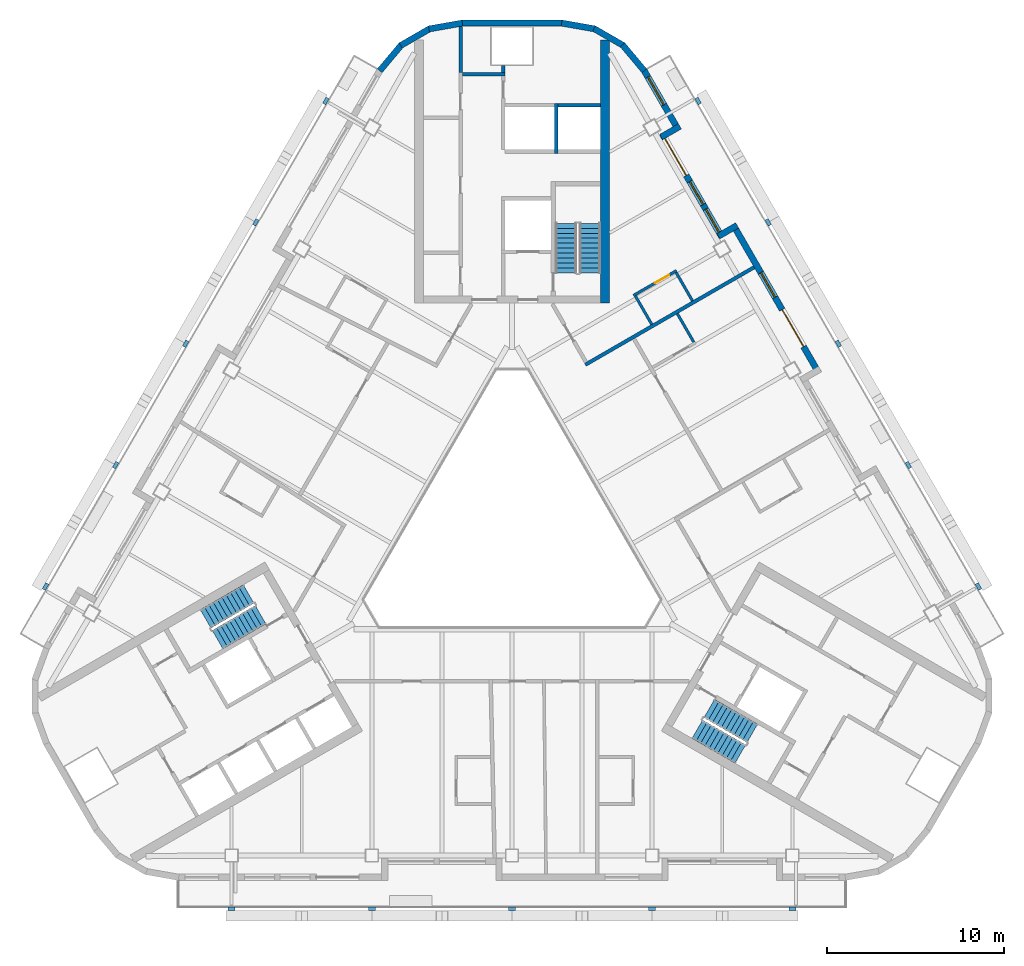
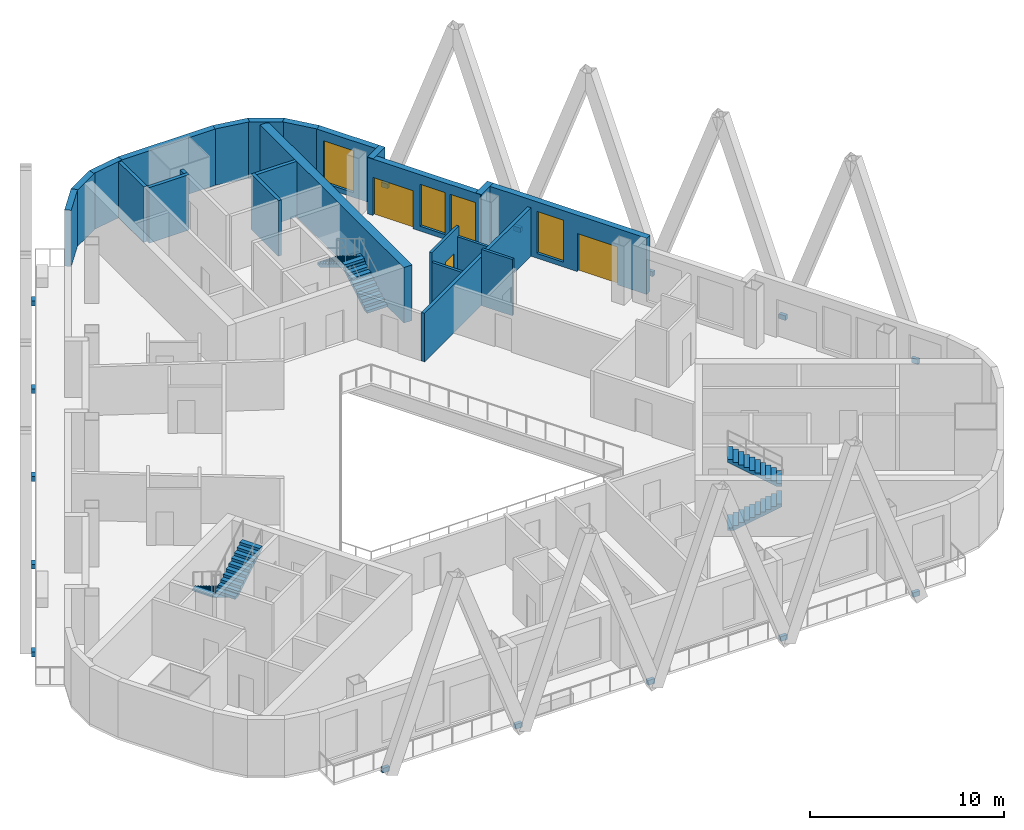
# One storey, part 7 of 13: 23 walls, 15 discrete accessories, 6 stair flights, 4 windows, 3 doors, 7 openings, 3 elements without a shape of their own.
"""IFC4 building model written with IfcOpenShell, lengths in metres."""

from ifc_helpers import new_model, si_unit, direction, frame, frame_2d, origin, origin_2d, place, context, subcontext, project, spatial, polyline, rectangle, outline, extrude, material, layer, layer_set, type_object, element, fill, aggregate, save


model = new_model("IFC4")

# Units and contexts
model_context = context("Model", 3, precision=1e-05, world=origin(), true_north=direction((0.0, 1.0)))
body_context = subcontext(model_context, "Body", "Model", "MODEL_VIEW")
ifc_project = project(units=[si_unit("LENGTHUNIT", "METRE"), si_unit("AREAUNIT", "SQUARE_METRE"), si_unit("VOLUMEUNIT", "CUBIC_METRE"), si_unit("PLANEANGLEUNIT", "RADIAN"), si_unit("MASSUNIT", "GRAM", prefix="KILO")], contexts=[model_context])

# Site, building, storey
site_placement = place(None, origin())
site = spatial("IfcSite", under=ifc_project, at=site_placement, CompositionType="ELEMENT")
building_placement = place(site_placement, origin())
building = spatial("IfcBuilding", under=site, at=building_placement, Name="Apuvela Tower Hotel", CompositionType="ELEMENT")
storey_placement = place(building_placement, frame((0.0, 0.0, 191.0)))
storey = spatial("IfcBuildingStorey", under=building, at=storey_placement, Name="L46", CompositionType="ELEMENT", Elevation=191.0)

# Walls
ifc_material_1 = material(Name="Concrete C50/60", Category="concrete")
ifc_layer_1 = layer(ifc_material_1, 0.5)
ifc_layer_set_1 = layer_set([ifc_layer_1], Name="COR-WALL-CORE-500")
wall_type_1 = type_object("IfcWallType", Name="COR-WALL-CORE-500", PredefinedType="SHEAR", material=ifc_layer_set_1)
wall_1_placement = place(storey_placement, frame((5.25, 12.89990234375, 0.0), z_axis=(0.0, 0.0, 1.0), x_axis=(0.0, 1.0, 0.0)))
element("IfcWall", 1, at=wall_1_placement, inside=storey, type_object=wall_type_1, Name="Core wall N", PredefinedType="SHEAR", context=body_context, shape_type="SweptSolid", body=[
    extrude(rectangle(XDim=14.8369140625, YDim=0.5, at=frame_2d((7.41845703125, 0.0))), origin(), (0.0, 0.0, 1.0), 3.5),
])
ifc_layer_2 = layer(ifc_material_1, 0.199951171875)
ifc_layer_set_2 = layer_set([ifc_layer_2], Name="COR-WALL-SHAFT-200")
wall_type_2 = type_object("IfcWallType", Name="COR-WALL-SHAFT-200", PredefinedType="SHEAR", material=ifc_layer_set_2)
wall_2_placement = place(storey_placement, frame((-0.39990234375, 25.800048828125, 0.0), z_axis=(0.0, 0.0, 1.0), x_axis=(-1.0, 0.0, 0.0)))
element("IfcWall", 2, at=wall_2_placement, inside=storey, type_object=wall_type_2, Name="Shaft wall N", PredefinedType="SHEAR", context=body_context, shape_type="SweptSolid", body=[
    extrude(rectangle(XDim=2.400146484375, YDim=0.199951171875, at=frame_2d((1.2001953125, 0.0))), origin(), (0.0, 0.0, 1.0), 3.5),
])
wall_3_placement = place(storey_placement, frame((-0.5, 25.89990234375, 0.0), z_axis=(0.0, 0.0, 1.0), x_axis=(0.0, 1.0, 0.0)))
element("IfcWall", 3, at=wall_3_placement, inside=storey, type_object=wall_type_2, Name="Shaft wall N", PredefinedType="SHEAR", context=body_context, shape_type="SweptSolid", body=[
    extrude(rectangle(XDim=0.400146484375, YDim=0.199951171875, at=frame_2d((0.2001953125, 0.0))), origin(), (0.0, 0.0, 1.0), 3.5),
])
wall_4_placement = place(storey_placement, frame((-2.89990234375, 25.89990234375, 0.0), z_axis=(0.0, 0.0, 1.0), x_axis=(0.0, 1.0, 0.0)))
element("IfcWall", 4, at=wall_4_placement, inside=storey, type_object=wall_type_2, Name="Shaft wall N", PredefinedType="SHEAR", context=body_context, shape_type="SweptSolid", body=[
    extrude(rectangle(XDim=2.60009765625, YDim=0.199951171875, at=frame_2d((1.300048828125, 0.0))), origin(), (0.0, 0.0, 1.0), 3.5),
])
wall_5_placement = place(storey_placement, frame((2.5, 21.35009765625, 0.0), z_axis=(0.0, 0.0, 1.0), x_axis=(0.0, 1.0, 0.0)))
element("IfcWall", 5, at=wall_5_placement, inside=storey, type_object=wall_type_2, Name="Shaft wall N", PredefinedType="SHEAR", context=body_context, shape_type="SweptSolid", body=[
    extrude(rectangle(XDim=2.7998046875, YDim=0.199951171875, at=frame_2d((1.39990234375, 0.0))), origin(), (0.0, 0.0, 1.0), 3.5),
])
wall_6_placement = place(storey_placement, frame((5.0, 24.050048828125, 0.0), z_axis=(0.0, 0.0, 1.0), x_axis=(-1.0, 0.0, 0.0)))
element("IfcWall", 6, at=wall_6_placement, inside=storey, type_object=wall_type_2, Name="Shaft wall N", PredefinedType="SHEAR", context=body_context, shape_type="SweptSolid", body=[
    extrude(rectangle(XDim=2.39990234375, YDim=0.199951171875, at=frame_2d((1.199951171875, 0.0))), origin(), (0.0, 0.0, 1.0), 3.5),
])

# Wall, openings, door, window
ifc_material_2 = material(Name="Concrete C40/50, dark pigmented precast panel", Category="concrete")
ifc_layer_3 = layer(ifc_material_2, 0.35009765625)
ifc_layer_set_3 = layer_set([ifc_layer_3], Name="ENV-WALL-350")
wall_type_3 = type_object("IfcWallType", Name="ENV-WALL-350", PredefinedType="SOLIDWALL", material=ifc_layer_set_3)
wall_7_placement = place(storey_placement, frame((17.298583984375, 8.947998046875, 0.0), z_axis=(0.0, 0.0, 1.0), x_axis=(-0.500010041276, 0.866019606374, 0.0)))
wall_7 = element("IfcWall", 7, at=wall_7_placement, inside=storey, type_object=wall_type_3, Name="External wall L46-37", PredefinedType="SOLIDWALL", context=body_context, shape_type="SweptSolid", body=[
    extrude(rectangle(XDim=9.699951171875, YDim=0.35009765625, at=frame_2d((4.85009765625, 0.0))), origin(), (0.0, 0.0, 1.0), 3.550048828125),
])
opening_1_placement = place(wall_7_placement, frame((1.737060546875, 0.0, 0.0)))
opening_1 = element("IfcOpeningElement", 8, at=opening_1_placement, cuts=wall_7, Name="Opening BD24", PredefinedType="OPENING", context=body_context, shape_type="SweptSolid", body=[
    extrude(rectangle(XDim=2.39990234375, YDim=2.39990234375, at=frame_2d((1.199951171875, 1.199951171875))), frame((0.0, 0.18505859375, 0.0), z_axis=(0.0, -1.0, 0.0), x_axis=(1.0, 0.0, 0.0)), (0.0, 0.0, 1.0), 0.3701171875),
])
opening_2_placement = place(wall_7_placement, frame((4.94921875, 0.0, 0.300048828125)))
opening_2 = element("IfcOpeningElement", 9, at=opening_2_placement, cuts=wall_7, Name="Opening WN16", PredefinedType="OPENING", context=body_context, shape_type="SweptSolid", body=[
    extrude(rectangle(XDim=1.60009765625, YDim=2.64990234375, at=frame_2d((0.800048828125, 1.324951171875))), frame((0.0, 0.18505859375, 0.0), z_axis=(0.0, -1.0, 0.0), x_axis=(1.0, 0.0, 0.0)), (0.0, 0.0, 1.0), 0.3701171875),
])
ifc_material_3 = material(Name="Aluminium 6063-T6, dark bronze anodised frame with dark tinted laminated glass", Category="aluminium")
door_type_1 = type_object("IfcDoorType", Name="ENV-DOOR-BALCONY-2400x2400", OperationType="SLIDING_TO_LEFT", PredefinedType="DOOR", material=ifc_material_3)
door_1_placement = place(opening_1_placement, frame((2.39990234375, 0.0, 0.0), z_axis=(0.0, 0.0, 1.0), x_axis=(-1.0, 0.0, 0.0)))
door_1 = element("IfcDoor", 10, at=door_1_placement, inside=storey, type_object=door_type_1, Name="Balcony door BD24", OperationType="SLIDING_TO_LEFT", OverallHeight=2.39990234375, OverallWidth=2.39990234375, PredefinedType="DOOR", context=body_context, shape_type="SweptSolid", body=[
    extrude(rectangle(XDim=2.39990234375, YDim=2.39990234375, at=frame_2d((1.199951171875, 1.199951171875))), frame((0.0, 0.02490234375, 0.0), z_axis=(0.0, -1.0, 0.0), x_axis=(1.0, 0.0, 0.0)), (0.0, 0.0, 1.0), 0.050048828125),
])
fill(opening_1, door_1)
ifc_material_4 = material(Name="Glass, dark tinted laminated insulated glazing unit", Category="glass")
window_type_1 = type_object("IfcWindowType", Name="ENV-WIN-1600x2650", PartitioningType="SINGLE_PANEL", PredefinedType="WINDOW", material=ifc_material_4)
window_1_placement = place(opening_2_placement, origin())
window_1 = element("IfcWindow", 11, at=window_1_placement, inside=storey, type_object=window_type_1, Name="Window WN16", OverallHeight=2.64990234375, OverallWidth=1.60009765625, PartitioningType="SINGLE_PANEL", PredefinedType="WINDOW", context=body_context, shape_type="SweptSolid", body=[
    extrude(rectangle(XDim=1.60009765625, YDim=2.64990234375, at=frame_2d((0.800048828125, 1.324951171875))), frame((0.0, 0.030029296875, 0.0), z_axis=(0.0, -1.0, 0.0), x_axis=(1.0, 0.0, 0.0)), (0.0, 0.0, 1.0), 0.06005859375),
])
fill(opening_2, window_1)

# Wall
wall_8_placement = place(storey_placement, frame((12.6875, 17.284423828125, 0.0), z_axis=(0.0, 0.0, 1.0), x_axis=(-0.865955602162, -0.500120880472, 0.0)))
element("IfcWall", 12, at=wall_8_placement, inside=storey, type_object=wall_type_3, Name="External wall L46-38", PredefinedType="SOLIDWALL", context=body_context, shape_type="SweptSolid", body=[
    extrude(rectangle(XDim=1.219970703125, YDim=0.35009765625, at=frame_2d((0.60986328125, 0.0))), origin(), (0.0, 0.0, 1.0), 3.550048828125),
])

# Wall, openings, door, windows
wall_9_placement = place(storey_placement, frame((11.8291015625, 16.621337890625, 0.0), z_axis=(0.0, 0.0, 1.0), x_axis=(-0.500003597184, 0.866023326939, 0.0)))
wall_9 = element("IfcWall", 13, at=wall_9_placement, inside=storey, type_object=wall_type_3, Name="External wall L46-39", PredefinedType="SOLIDWALL", context=body_context, shape_type="SweptSolid", body=[
    extrude(rectangle(XDim=6.740234375, YDim=0.35009765625, at=frame_2d((3.3701171875, 0.0))), origin(), (0.0, 0.0, 1.0), 3.550048828125),
])
opening_3_placement = place(wall_9_placement, frame((4.01953125, 0.0, 0.0)))
opening_3 = element("IfcOpeningElement", 14, at=opening_3_placement, cuts=wall_9, Name="Opening BD24", PredefinedType="OPENING", context=body_context, shape_type="SweptSolid", body=[
    extrude(rectangle(XDim=2.39990234375, YDim=2.39990234375, at=frame_2d((1.199951171875, 1.199951171875))), frame((0.0, 0.18505859375, 0.0), z_axis=(0.0, -1.0, 0.0), x_axis=(1.0, 0.0, 0.0)), (0.0, 0.0, 1.0), 0.3701171875),
])
opening_4_placement = place(wall_9_placement, frame((0.320068359375, 0.0, 0.300048828125)))
opening_4 = element("IfcOpeningElement", 15, at=opening_4_placement, cuts=wall_9, Name="Opening WN15", PredefinedType="OPENING", context=body_context, shape_type="SweptSolid", body=[
    extrude(rectangle(XDim=1.5, YDim=2.64990234375, at=frame_2d((0.75, 1.324951171875))), frame((0.0, 0.18505859375, 0.0), z_axis=(0.0, -1.0, 0.0), x_axis=(1.0, 0.0, 0.0)), (0.0, 0.0, 1.0), 0.3701171875),
])
opening_5_placement = place(wall_9_placement, frame((2.1201171875, 0.0, 0.300048828125)))
opening_5 = element("IfcOpeningElement", 16, at=opening_5_placement, cuts=wall_9, Name="Opening WN15", PredefinedType="OPENING", context=body_context, shape_type="SweptSolid", body=[
    extrude(rectangle(XDim=1.5, YDim=2.64990234375, at=frame_2d((0.75, 1.324951171875))), frame((0.0, 0.18505859375, 0.0), z_axis=(0.0, -1.0, 0.0), x_axis=(1.0, 0.0, 0.0)), (0.0, 0.0, 1.0), 0.3701171875),
])
door_2_placement = place(opening_3_placement, frame((2.39990234375, 0.0, 0.0), z_axis=(0.0, 0.0, 1.0), x_axis=(-1.0, 0.0, 0.0)))
door_2 = element("IfcDoor", 17, at=door_2_placement, inside=storey, type_object=door_type_1, Name="Balcony door BD24", OperationType="SLIDING_TO_LEFT", OverallHeight=2.39990234375, OverallWidth=2.39990234375, PredefinedType="DOOR", context=body_context, shape_type="SweptSolid", body=[
    extrude(rectangle(XDim=2.39990234375, YDim=2.39990234375, at=frame_2d((1.199951171875, 1.199951171875))), frame((0.0, 0.02490234375, 0.0), z_axis=(0.0, -1.0, 0.0), x_axis=(1.0, 0.0, 0.0)), (0.0, 0.0, 1.0), 0.050048828125),
])
fill(opening_3, door_2)
window_type_2 = type_object("IfcWindowType", Name="ENV-WIN-1500x2650", PartitioningType="SINGLE_PANEL", PredefinedType="WINDOW", material=ifc_material_4)
window_2_placement = place(opening_4_placement, origin())
window_2 = element("IfcWindow", 18, at=window_2_placement, inside=storey, type_object=window_type_2, Name="Window WN15", OverallHeight=2.64990234375, OverallWidth=1.5, PartitioningType="SINGLE_PANEL", PredefinedType="WINDOW", context=body_context, shape_type="SweptSolid", body=[
    extrude(rectangle(XDim=1.5, YDim=2.64990234375, at=frame_2d((0.75, 1.324951171875))), frame((0.0, 0.030029296875, 0.0), z_axis=(0.0, -1.0, 0.0), x_axis=(1.0, 0.0, 0.0)), (0.0, 0.0, 1.0), 0.06005859375),
])
fill(opening_4, window_2)
window_3_placement = place(opening_5_placement, origin())
window_3 = element("IfcWindow", 19, at=window_3_placement, inside=storey, type_object=window_type_2, Name="Window WN15", OverallHeight=2.64990234375, OverallWidth=1.5, PartitioningType="SINGLE_PANEL", PredefinedType="WINDOW", context=body_context, shape_type="SweptSolid", body=[
    extrude(rectangle(XDim=1.5, YDim=2.64990234375, at=frame_2d((0.75, 1.324951171875))), frame((0.0, 0.030029296875, 0.0), z_axis=(0.0, -1.0, 0.0), x_axis=(1.0, 0.0, 0.0)), (0.0, 0.0, 1.0), 0.06005859375),
])
fill(opening_5, window_3)

# Wall
wall_10_placement = place(storey_placement, frame((8.406005859375, 22.26025390625, 0.0), z_axis=(0.0, 0.0, 1.0), x_axis=(0.865955602162, 0.500120880472, 0.0)))
element("IfcWall", 20, at=wall_10_placement, inside=storey, type_object=wall_type_3, Name="External wall L46-40", PredefinedType="SOLIDWALL", context=body_context, shape_type="SweptSolid", body=[
    extrude(rectangle(XDim=1.219970703125, YDim=0.35009765625, at=frame_2d((0.60986328125, 0.0))), origin(), (0.0, 0.0, 1.0), 3.550048828125),
])

# Wall, opening, window
wall_11_placement = place(storey_placement, frame((9.3984375, 22.631103515625, 0.0), z_axis=(0.0, 0.0, 1.0), x_axis=(-0.499954521343, 0.866051659307, 0.0)))
wall_11 = element("IfcWall", 21, at=wall_11_placement, inside=storey, type_object=wall_type_3, Name="External wall L46-41", PredefinedType="SOLIDWALL", context=body_context, shape_type="SweptSolid", body=[
    extrude(rectangle(XDim=3.915771484375, YDim=0.35009765625, at=frame_2d((1.9580078125, 0.0))), origin(), (0.0, 0.0, 1.0), 3.550048828125),
])
opening_6_placement = place(wall_11_placement, frame((1.67626953125, 0.0, 0.300048828125)))
opening_6 = element("IfcOpeningElement", 22, at=opening_6_placement, cuts=wall_11, Name="Opening WN18", PredefinedType="OPENING", context=body_context, shape_type="SweptSolid", body=[
    extrude(rectangle(XDim=1.800048828125, YDim=2.64990234375, at=frame_2d((0.89990234375, 1.324951171875))), frame((0.0, 0.18505859375, 0.0), z_axis=(0.0, -1.0, 0.0), x_axis=(1.0, 0.0, 0.0)), (0.0, 0.0, 1.0), 0.3701171875),
])
window_type_3 = type_object("IfcWindowType", Name="ENV-WIN-1800x2650", PartitioningType="SINGLE_PANEL", PredefinedType="WINDOW", material=ifc_material_4)
window_4_placement = place(opening_6_placement, origin())
window_4 = element("IfcWindow", 23, at=window_4_placement, inside=storey, type_object=window_type_3, Name="Window WN18", OverallHeight=2.64990234375, OverallWidth=1.800048828125, PartitioningType="SINGLE_PANEL", PredefinedType="WINDOW", context=body_context, shape_type="SweptSolid", body=[
    extrude(rectangle(XDim=1.800048828125, YDim=2.64990234375, at=frame_2d((0.89990234375, 1.324951171875))), frame((0.0, 0.030029296875, 0.0), z_axis=(0.0, -1.0, 0.0), x_axis=(1.0, 0.0, 0.0)), (0.0, 0.0, 1.0), 0.06005859375),
])
fill(opening_6, window_4)

# Walls
wall_12_placement = place(storey_placement, frame((7.4580078125, 25.99755859375, 0.0), z_axis=(0.0, 0.0, 1.0), x_axis=(-0.642808304945, 0.766027077259, 0.0)))
element("IfcWall", 24, at=wall_12_placement, inside=storey, type_object=wall_type_3, Name="External wall L46-42", PredefinedType="SOLIDWALL", context=body_context, shape_type="SweptSolid", body=[
    extrude(rectangle(XDim=1.909912109375, YDim=0.35009765625, at=frame_2d((0.955078125, 0.0))), origin(), (0.0, 0.0, 1.0), 3.550048828125),
])
for number, where, z_axis, x_axis, name in (
    (25, (6.27685546875, 27.421630859375, 0.0), (0.0, 0.0, 1.0), (-0.866032345022, 0.499987977232, 0.0), "External wall L46-43"),
    (26, (4.6796875, 28.35595703125, 0.0), (0.0, 0.0, 1.0), (-0.984798995425, 0.173697837091, 0.0), "External wall L46-44"),
):
    element("IfcWall", number, at=place(storey_placement, frame(where, z_axis=z_axis, x_axis=x_axis)), inside=storey, type_object=wall_type_3, Name=name, PredefinedType="SOLIDWALL", context=body_context, shape_type="SweptSolid", body=[
        extrude(rectangle(XDim=1.91015625, YDim=0.35009765625, at=frame_2d((0.955078125, 0.0))), origin(), (0.0, 0.0, 1.0), 3.550048828125),
    ])
wall_13_placement = place(storey_placement, frame((2.8291015625, 28.68505859375, 0.0), z_axis=(0.0, 0.0, 1.0), x_axis=(-1.0, 0.0, 0.0)))
element("IfcWall", 27, at=wall_13_placement, inside=storey, type_object=wall_type_3, Name="External wall L46-45", PredefinedType="SOLIDWALL", context=body_context, shape_type="SweptSolid", body=[
    extrude(rectangle(XDim=5.658203125, YDim=0.35009765625, at=frame_2d((2.8291015625, 0.0))), origin(), (0.0, 0.0, 1.0), 3.550048828125),
])
for number, where, z_axis, x_axis, name in (
    (28, (-2.798583984375, 28.687744140625, 0.0), (0.0, 0.0, 1.0), (-0.984798995425, -0.173697837091, 0.0), "External wall L46-46"),
    (29, (-4.62255859375, 28.376708984375, 0.0), (0.0, 0.0, 1.0), (-0.866032345022, -0.499987977232, 0.0), "External wall L46-47"),
):
    element("IfcWall", number, at=place(storey_placement, frame(where, z_axis=z_axis, x_axis=x_axis)), inside=storey, type_object=wall_type_3, Name=name, PredefinedType="SOLIDWALL", context=body_context, shape_type="SweptSolid", body=[
        extrude(rectangle(XDim=1.91015625, YDim=0.35009765625, at=frame_2d((0.955078125, 0.0))), origin(), (0.0, 0.0, 1.0), 3.550048828125),
    ])
wall_14_placement = place(storey_placement, frame((-6.230224609375, 27.460693359375, 0.0), z_axis=(0.0, 0.0, 1.0), x_axis=(-0.642808304945, -0.766027077259, 0.0)))
element("IfcWall", 30, at=wall_14_placement, inside=storey, type_object=wall_type_3, Name="External wall L46-48", PredefinedType="SOLIDWALL", context=body_context, shape_type="SweptSolid", body=[
    extrude(rectangle(XDim=1.909912109375, YDim=0.35009765625, at=frame_2d((0.955078125, 0.0))), origin(), (0.0, 0.0, 1.0), 3.550048828125),
])
ifc_material_5 = material(Name="Gypsum board partition on twin steel stud", Category="steel")
ifc_layer_4 = layer(ifc_material_5, 0.199951171875)
ifc_layer_set_4 = layer_set([ifc_layer_4], Name="GST-PW1")
wall_type_4 = type_object("IfcWallType", Name="GST-PW1", PredefinedType="PARTITIONING", material=ifc_layer_set_4)
wall_15_placement = place(storey_placement, frame((13.64697265625, 14.9228515625, 0.0), z_axis=(0.0, 0.0, 1.0), x_axis=(-0.866027479907, -0.499996404033, 0.0)))
element("IfcWall", 31, at=wall_15_placement, inside=storey, type_object=wall_type_4, Name="L46 partition 04", PredefinedType="PARTITIONING", context=body_context, shape_type="SweptSolid", body=[
    extrude(rectangle(XDim=10.97998046875, YDim=0.199951171875, at=frame_2d((5.489990234375, 0.0))), origin(), (0.0, 0.0, 1.0), 3.06005859375),
])
ifc_material_6 = material(Name="Moisture-resistant gypsum board wet wall on steel stud", Category="steel")
ifc_layer_5 = layer(ifc_material_6, 0.14990234375)
ifc_layer_set_5 = layer_set([ifc_layer_5], Name="GST-PW3")
wall_type_5 = type_object("IfcWallType", Name="GST-PW3", PredefinedType="PARTITIONING", material=ifc_layer_set_5)
wall_16_placement = place(storey_placement, frame((10.244140625, 10.70654296875, 0.0), z_axis=(0.0, 0.0, 1.0), x_axis=(-0.500042316284, 0.866000971088, 0.0)))
element("IfcWall", 32, at=wall_16_placement, inside=storey, type_object=wall_type_5, Name="L46 partition 24", PredefinedType="PARTITIONING", context=body_context, shape_type="SweptSolid", body=[
    extrude(rectangle(XDim=1.849853515625, YDim=0.14990234375, at=frame_2d((0.9248046875, 0.0))), origin(), (0.0, 0.0, 1.0), 3.550048828125),
])

# Wall, opening, door
wall_17_placement = place(storey_placement, frame((9.2744140625, 14.736572265625, 0.0), z_axis=(0.0, 0.0, 1.0), x_axis=(-0.866018616679, -0.500011755427, 0.0)))
wall_17 = element("IfcWall", 33, at=wall_17_placement, inside=storey, type_object=wall_type_5, Name="L46 partition 26", PredefinedType="PARTITIONING", context=body_context, shape_type="SweptSolid", body=[
    extrude(rectangle(XDim=2.80029296875, YDim=0.14990234375, at=frame_2d((1.400146484375, 0.0))), origin(), (0.0, 0.0, 1.0), 3.550048828125),
])
opening_7_placement = place(wall_17_placement, frame((0.5, 0.0, 0.0)))
opening_7 = element("IfcOpeningElement", 34, at=opening_7_placement, cuts=wall_17, Name="Opening GD18-11", PredefinedType="OPENING", context=body_context, shape_type="SweptSolid", body=[
    extrude(rectangle(XDim=0.89990234375, YDim=2.10009765625, at=frame_2d((0.449951171875, 1.050048828125))), frame((0.0, 0.0849609375, 0.0), z_axis=(0.0, -1.0, 0.0), x_axis=(1.0, 0.0, 0.0)), (0.0, 0.0, 1.0), 0.169921875),
])
ifc_material_7 = material(Name="Timber door leaf in steel frame", Category="steel")
door_type_2 = type_object("IfcDoorType", Name="GST-D2", OperationType="NOTDEFINED", PredefinedType="DOOR", material=ifc_material_7)
door_3_placement = place(opening_7_placement, origin())
door_3 = element("IfcDoor", 35, at=door_3_placement, inside=storey, type_object=door_type_2, Name="Door L46-11", OperationType="SINGLE_SWING_LEFT", OverallHeight=2.10009765625, OverallWidth=0.89990234375, PredefinedType="DOOR", context=body_context, shape_type="SweptSolid", body=[
    extrude(rectangle(XDim=0.89990234375, YDim=2.10009765625, at=frame_2d((0.449951171875, 1.050048828125))), frame((0.0, 0.02490234375, 0.0), z_axis=(0.0, -1.0, 0.0), x_axis=(1.0, 0.0, 0.0)), (0.0, 0.0, 1.0), 0.050048828125),
])
fill(opening_7, door_3)

# Walls
wall_18_placement = place(storey_placement, frame((10.171875, 13.031982421875, 0.0), z_axis=(0.0, 0.0, 1.0), x_axis=(-0.500042316284, 0.866000971088, 0.0)))
element("IfcWall", 36, at=wall_18_placement, inside=storey, type_object=wall_type_5, Name="L46 partition 27", PredefinedType="PARTITIONING", context=body_context, shape_type="SweptSolid", body=[
    extrude(rectangle(XDim=1.849853515625, YDim=0.14990234375, at=frame_2d((0.9248046875, 0.0))), origin(), (0.0, 0.0, 1.0), 2.949951171875),
])
wall_19_placement = place(storey_placement, frame((7.876953125, 11.706787109375, 0.0), z_axis=(0.0, 0.0, 1.0), x_axis=(-0.499985172903, 0.866033964044, 0.0)))
element("IfcWall", 37, at=wall_19_placement, inside=storey, type_object=wall_type_5, Name="L46 partition 28", PredefinedType="PARTITIONING", context=body_context, shape_type="SweptSolid", body=[
    extrude(rectangle(XDim=1.85009765625, YDim=0.14990234375, at=frame_2d((0.925048828125, 0.0))), origin(), (0.0, 0.0, 1.0), 2.949951171875),
])

# Stair, stair flights
stair_type = type_object("IfcStairType", Name="COR-STAIR-22R", PredefinedType="HALF_TURN_STAIR", material=ifc_material_1)
stair_1_placement = place(storey_placement, origin())
stair_1 = element("IfcStair", 38, at=stair_1_placement, inside=storey, type_object=stair_type, Name="L46 Exit stair ST1", PredefinedType="HALF_TURN_STAIR")
stair_flight_type = type_object("IfcStairFlightType", Name="COR-FLIGHT-11R", PredefinedType="STRAIGHT", material=ifc_material_1)
stair_flight_1_placement = place(storey_placement, frame((4.39990234375, 14.60009765625, 0.0), z_axis=(0.0, 0.0, 1.0), x_axis=(0.0, 1.0, 0.0)))
stair_flight_1 = element("IfcStairFlight", 39, at=stair_flight_1_placement, type_object=stair_flight_type, Name="ST1 flight 1", NumberOfRisers=11, NumberOfTreads=10, PredefinedType="STRAIGHT", RiserHeight=0.168181818, TreadLength=0.28, context=body_context, shape_type="SweptSolid", body=[
    extrude(outline(polyline([(0.0, 0.0), (0.0, 0.168212890625), (0.280029296875, 0.168212890625), (0.280029296875, 0.33642578125), (0.56005859375, 0.33642578125), (0.56005859375, 0.504638671875), (0.840087890625, 0.504638671875), (0.840087890625, 0.672607421875), (1.1201171875, 0.672607421875), (1.1201171875, 0.8408203125), (1.39990234375, 0.8408203125), (1.39990234375, 1.009033203125), (1.679931640625, 1.009033203125), (1.679931640625, 1.17724609375), (1.9599609375, 1.17724609375), (1.9599609375, 1.345458984375), (2.239990234375, 1.345458984375), (2.239990234375, 1.513671875), (2.52001953125, 1.513671875), (2.52001953125, 1.681884765625), (2.800048828125, 1.681884765625), (2.800048828125, 1.85009765625), (2.800048828125, 1.5068359375), (0.291015625, 0.0), (0.0, 0.0)])), frame((0.0, 0.60009765625, 0.0), z_axis=(0.0, -1.0, 0.0), x_axis=(1.0, 0.0, 0.0)), (0.0, 0.0, 1.0), 1.199951171875),
])
stair_flight_2_placement = place(storey_placement, frame((3.050048828125, 17.39990234375, 1.85009765625), z_axis=(0.0, 0.0, 1.0), x_axis=(0.0, -1.0, 0.0)))
stair_flight_2 = element("IfcStairFlight", 40, at=stair_flight_2_placement, type_object=stair_flight_type, Name="ST1 flight 2", NumberOfRisers=11, NumberOfTreads=10, PredefinedType="STRAIGHT", RiserHeight=0.168181818, TreadLength=0.28, context=body_context, shape_type="SweptSolid", body=[
    extrude(outline(polyline([(0.0, 0.0), (0.0, 0.168212890625), (0.280029296875, 0.168212890625), (0.280029296875, 0.33642578125), (0.56005859375, 0.33642578125), (0.56005859375, 0.504638671875), (0.840087890625, 0.504638671875), (0.840087890625, 0.672607421875), (1.1201171875, 0.672607421875), (1.1201171875, 0.8408203125), (1.39990234375, 0.8408203125), (1.39990234375, 1.009033203125), (1.679931640625, 1.009033203125), (1.679931640625, 1.17724609375), (1.9599609375, 1.17724609375), (1.9599609375, 1.345458984375), (2.239990234375, 1.345458984375), (2.239990234375, 1.513671875), (2.52001953125, 1.513671875), (2.52001953125, 1.681884765625), (2.800048828125, 1.681884765625), (2.800048828125, 1.85009765625), (2.800048828125, 1.5068359375), (0.291015625, 0.0), (0.0, 0.0)])), frame((0.0, 0.60009765625, 0.0), z_axis=(0.0, -1.0, 0.0), x_axis=(1.0, 0.0, 0.0)), (0.0, 0.0, 1.0), 1.199951171875),
])
aggregate(stair_1, [stair_flight_1, stair_flight_2])

stair_2_placement = place(storey_placement, origin())
stair_2 = element("IfcStair", 41, at=stair_2_placement, inside=storey, type_object=stair_type, Name="L46 Exit stair ST2", PredefinedType="HALF_TURN_STAIR")
stair_flight_3_placement = place(storey_placement, frame((-14.843994140625, -3.489501953125, 0.0), z_axis=(0.0, 0.0, 1.0), x_axis=(-0.866025403784, -0.5, 0.0)))
stair_flight_3 = element("IfcStairFlight", 42, at=stair_flight_3_placement, type_object=stair_flight_type, Name="ST2 flight 1", NumberOfRisers=11, NumberOfTreads=10, PredefinedType="STRAIGHT", RiserHeight=0.168181818, TreadLength=0.28, context=body_context, shape_type="SweptSolid", body=[
    extrude(outline(polyline([(0.0, 0.0), (0.0, 0.168212890625), (0.280029296875, 0.168212890625), (0.280029296875, 0.33642578125), (0.56005859375, 0.33642578125), (0.56005859375, 0.504638671875), (0.840087890625, 0.504638671875), (0.840087890625, 0.672607421875), (1.1201171875, 0.672607421875), (1.1201171875, 0.8408203125), (1.39990234375, 0.8408203125), (1.39990234375, 1.009033203125), (1.679931640625, 1.009033203125), (1.679931640625, 1.17724609375), (1.9599609375, 1.17724609375), (1.9599609375, 1.345458984375), (2.239990234375, 1.345458984375), (2.239990234375, 1.513671875), (2.52001953125, 1.513671875), (2.52001953125, 1.681884765625), (2.800048828125, 1.681884765625), (2.800048828125, 1.85009765625), (2.800048828125, 1.5068359375), (0.291015625, 0.0), (0.0, 0.0)])), frame((0.0, 0.60009765625, 0.0), z_axis=(0.0, -1.0, 0.0), x_axis=(1.0, 0.0, 0.0)), (0.0, 0.0, 1.0), 1.199951171875),
])
stair_flight_4_placement = place(storey_placement, frame((-16.59375, -6.05859375, 1.85009765625), z_axis=(0.0, 0.0, 1.0), x_axis=(0.866025403784, 0.5, 0.0)))
stair_flight_4 = element("IfcStairFlight", 43, at=stair_flight_4_placement, type_object=stair_flight_type, Name="ST2 flight 2", NumberOfRisers=11, NumberOfTreads=10, PredefinedType="STRAIGHT", RiserHeight=0.168181818, TreadLength=0.28, context=body_context, shape_type="SweptSolid", body=[
    extrude(outline(polyline([(0.0, 0.0), (0.0, 0.168212890625), (0.280029296875, 0.168212890625), (0.280029296875, 0.33642578125), (0.56005859375, 0.33642578125), (0.56005859375, 0.504638671875), (0.840087890625, 0.504638671875), (0.840087890625, 0.672607421875), (1.1201171875, 0.672607421875), (1.1201171875, 0.8408203125), (1.39990234375, 0.8408203125), (1.39990234375, 1.009033203125), (1.679931640625, 1.009033203125), (1.679931640625, 1.17724609375), (1.9599609375, 1.17724609375), (1.9599609375, 1.345458984375), (2.239990234375, 1.345458984375), (2.239990234375, 1.513671875), (2.52001953125, 1.513671875), (2.52001953125, 1.681884765625), (2.800048828125, 1.681884765625), (2.800048828125, 1.85009765625), (2.800048828125, 1.5068359375), (0.291015625, 0.0), (0.0, 0.0)])), frame((0.0, 0.60009765625, 0.0), z_axis=(0.0, -1.0, 0.0), x_axis=(1.0, 0.0, 0.0)), (0.0, 0.0, 1.0), 1.199951171875),
])
aggregate(stair_2, [stair_flight_3, stair_flight_4])

stair_3_placement = place(storey_placement, origin())
stair_3 = element("IfcStair", 44, at=stair_3_placement, inside=storey, type_object=stair_type, Name="L46 Exit stair ST3", PredefinedType="HALF_TURN_STAIR")
stair_flight_5_placement = place(storey_placement, frame((10.444091796875, -11.110595703125, 0.0), z_axis=(0.0, 0.0, 1.0), x_axis=(0.866025403784, -0.5, 0.0)))
stair_flight_5 = element("IfcStairFlight", 45, at=stair_flight_5_placement, type_object=stair_flight_type, Name="ST3 flight 1", NumberOfRisers=11, NumberOfTreads=10, PredefinedType="STRAIGHT", RiserHeight=0.168181818, TreadLength=0.28, context=body_context, shape_type="SweptSolid", body=[
    extrude(outline(polyline([(0.0, 0.0), (0.0, 0.168212890625), (0.280029296875, 0.168212890625), (0.280029296875, 0.33642578125), (0.56005859375, 0.33642578125), (0.56005859375, 0.504638671875), (0.840087890625, 0.504638671875), (0.840087890625, 0.672607421875), (1.1201171875, 0.672607421875), (1.1201171875, 0.8408203125), (1.39990234375, 0.8408203125), (1.39990234375, 1.009033203125), (1.679931640625, 1.009033203125), (1.679931640625, 1.17724609375), (1.9599609375, 1.17724609375), (1.9599609375, 1.345458984375), (2.239990234375, 1.345458984375), (2.239990234375, 1.513671875), (2.52001953125, 1.513671875), (2.52001953125, 1.681884765625), (2.800048828125, 1.681884765625), (2.800048828125, 1.85009765625), (2.800048828125, 1.5068359375), (0.291015625, 0.0), (0.0, 0.0)])), frame((0.0, 0.60009765625, 0.0), z_axis=(0.0, -1.0, 0.0), x_axis=(1.0, 0.0, 0.0)), (0.0, 0.0, 1.0), 1.199951171875),
])
stair_flight_6_placement = place(storey_placement, frame((13.5439453125, -11.34130859375, 1.85009765625), z_axis=(0.0, 0.0, 1.0), x_axis=(-0.866025403784, 0.5, 0.0)))
stair_flight_6 = element("IfcStairFlight", 46, at=stair_flight_6_placement, type_object=stair_flight_type, Name="ST3 flight 2", NumberOfRisers=11, NumberOfTreads=10, PredefinedType="STRAIGHT", RiserHeight=0.168181818, TreadLength=0.28, context=body_context, shape_type="SweptSolid", body=[
    extrude(outline(polyline([(0.0, 0.0), (0.0, 0.168212890625), (0.280029296875, 0.168212890625), (0.280029296875, 0.33642578125), (0.56005859375, 0.33642578125), (0.56005859375, 0.504638671875), (0.840087890625, 0.504638671875), (0.840087890625, 0.672607421875), (1.1201171875, 0.672607421875), (1.1201171875, 0.8408203125), (1.39990234375, 0.8408203125), (1.39990234375, 1.009033203125), (1.679931640625, 1.009033203125), (1.679931640625, 1.17724609375), (1.9599609375, 1.17724609375), (1.9599609375, 1.345458984375), (2.239990234375, 1.345458984375), (2.239990234375, 1.513671875), (2.52001953125, 1.513671875), (2.52001953125, 1.681884765625), (2.800048828125, 1.681884765625), (2.800048828125, 1.85009765625), (2.800048828125, 1.5068359375), (0.291015625, 0.0), (0.0, 0.0)])), frame((0.0, 0.60009765625, 0.0), z_axis=(0.0, -1.0, 0.0), x_axis=(1.0, 0.0, 0.0)), (0.0, 0.0, 1.0), 1.199951171875),
])
aggregate(stair_3, [stair_flight_5, stair_flight_6])

# Discrete accessories
ifc_material_8 = material(Name="Steel S355, black paint system", Category="steel")
discrete_accessory_type = type_object("IfcDiscreteAccessoryType", Name="ENV-FIN-BRACKET", PredefinedType="BRACKET", material=ifc_material_8)
for number, where, z_axis, x_axis, name in (
    (47, (26.28564453125, -3.068115234375, -0.25), (0.0, 0.0, 1.0), (-0.5, 0.866025403784, 0.0), "Fin bracket NE87"),
    (48, (22.335693359375, 3.7734375, -0.25), (0.0, 0.0, 1.0), (-0.5, 0.866025403784, 0.0), "Fin bracket NE88"),
    (49, (18.3857421875, 10.614990234375, -0.25), (0.0, 0.0, 1.0), (-0.5, 0.866025403784, 0.0), "Fin bracket NE89"),
    (50, (14.435791015625, 17.45654296875, -0.25), (0.0, 0.0, 1.0), (-0.5, 0.866025403784, 0.0), "Fin bracket NE90"),
    (51, (10.485595703125, 24.298095703125, -0.25), (0.0, 0.0, 1.0), (-0.5, 0.866025403784, 0.0), "Fin bracket NE91"),
    (52, (-10.485595703125, 24.298095703125, -0.25), (0.0, 0.0, 1.0), (-0.5, -0.866025403784, 0.0), "Fin bracket NW236"),
    (53, (-14.435791015625, 17.45654296875, -0.25), (0.0, 0.0, 1.0), (-0.5, -0.866025403784, 0.0), "Fin bracket NW237"),
    (54, (-18.3857421875, 10.614990234375, -0.25), (0.0, 0.0, 1.0), (-0.5, -0.866025403784, 0.0), "Fin bracket NW238"),
    (55, (-22.335693359375, 3.7734375, -0.25), (0.0, 0.0, 1.0), (-0.5, -0.866025403784, 0.0), "Fin bracket NW239"),
    (56, (-26.28564453125, -3.068115234375, -0.25), (0.0, 0.0, 1.0), (-0.5, -0.866025403784, 0.0), "Fin bracket NW240"),
    (57, (-15.800048828125, -21.22998046875, -0.25), (0.0, 0.0, 1.0), (1.0, 0.0, 0.0), "Fin bracket S386"),
    (58, (-7.89990234375, -21.22998046875, -0.25), (0.0, 0.0, 1.0), (1.0, 0.0, 0.0), "Fin bracket S387"),
    (59, (0.0, -21.22998046875, -0.25), (0.0, 0.0, 1.0), (1.0, 0.0, 0.0), "Fin bracket S388"),
    (60, (7.89990234375, -21.22998046875, -0.25), (0.0, 0.0, 1.0), (1.0, 0.0, 0.0), "Fin bracket S389"),
    (61, (15.800048828125, -21.22998046875, -0.25), (0.0, 0.0, 1.0), (1.0, 0.0, 0.0), "Fin bracket S390"),
):
    element("IfcDiscreteAccessory", number, at=place(storey_placement, frame(where, z_axis=z_axis, x_axis=x_axis)), inside=storey, type_object=discrete_accessory_type, Name=name, PredefinedType="BRACKET", context=body_context, shape_type="SweptSolid", body=[
        extrude(rectangle(XDim=0.39990234375, YDim=0.199951171875, at=origin_2d()), origin(), (0.0, 0.0, 1.0), 0.300048828125),
    ])

save(model, "model.ifc")
